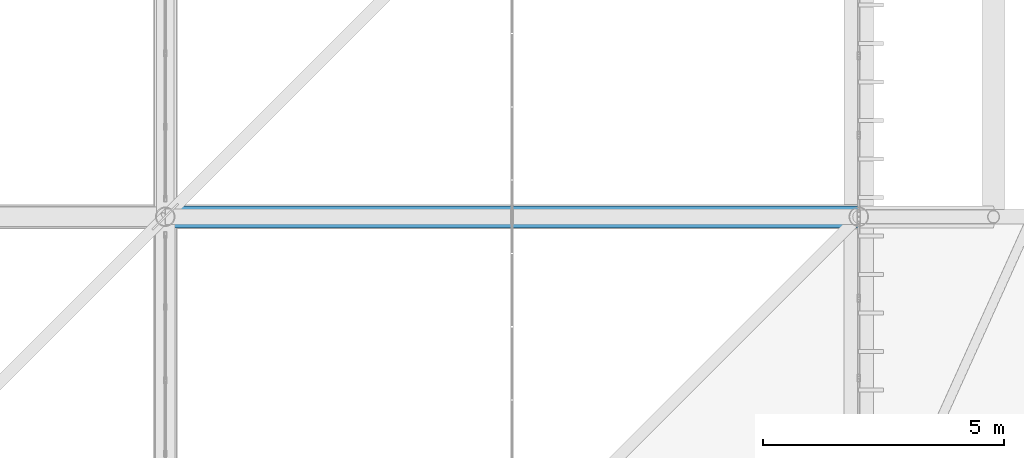
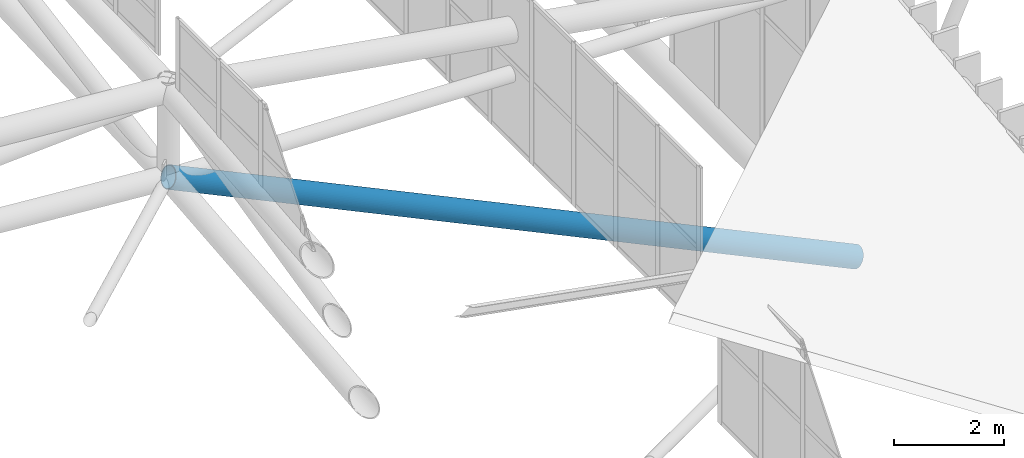
# One storey, part 147 of 397: 1 beam.
"""IFC4 building model written with IfcOpenShell, lengths in metres."""

from ifc_helpers import new_model, si_unit, direction, frame, origin, origin_2d, place, context, subcontext, project, spatial, hollow_circle, extrude, material, material_profile, profile_set, type_object, element, save


model = new_model("IFC4")

# Units and contexts
model_context = context("Model", 3, precision=1e-05, world=origin(), true_north=direction((0.0, 1.0)))
body_context = subcontext(model_context, "Body", "Model", "MODEL_VIEW")
ifc_project = project(units=[si_unit("LENGTHUNIT", "METRE"), si_unit("AREAUNIT", "SQUARE_METRE"), si_unit("VOLUMEUNIT", "CUBIC_METRE"), si_unit("PLANEANGLEUNIT", "RADIAN"), si_unit("MASSUNIT", "GRAM", prefix="KILO")], contexts=[model_context])

# Site, building, storey
site_placement = place(None, origin())
site = spatial("IfcSite", under=ifc_project, at=site_placement, CompositionType="ELEMENT")
building_placement = place(site_placement, origin())
building = spatial("IfcBuilding", under=site, at=building_placement, Name="Qandorah Velis Arena", CompositionType="ELEMENT")
storey_placement = place(building_placement, frame((0.0, 0.0, 27.5)))
storey = spatial("IfcBuildingStorey", under=building, at=storey_placement, Name="RF", CompositionType="ELEMENT", Elevation=27.5)

# Beam
ifc_material = material(Name="Steel S355", Category="steel")
ifc_material_profile = material_profile(ifc_material, hollow_circle(Radius=0.228515625, WallThickness=0.01611328125, at=origin_2d()), Name="CHS 457x16")
ifc_profile_set = profile_set([ifc_material_profile], Name="Steel S355")
beam_type = type_object("IfcBeamType", Name="STR-SFC-CHS457X16", PredefinedType="USERDEFINED", material=ifc_profile_set)
beam_placement = place(storey_placement, frame((100.800048828125, 43.199951171875, 6.90771484375), z_axis=(0.90406279048, 0.0, -0.427399661757), x_axis=(0.0, 1.0, 0.0)))
element("IfcBeam", 1, at=beam_placement, inside=storey, type_object=beam_type, Name="Space frame roof truss bottom chord X 6.2", ObjectType="ROOF TRUSS", PredefinedType="USERDEFINED", context=body_context, shape_type="SweptSolid", body=[
    extrude(hollow_circle(Radius=0.228515625, WallThickness=0.01611328125, at=origin_2d()), origin(), (0.0, 0.0, 1.0), 15.927978515625),
])

save(model, "model.ifc")
